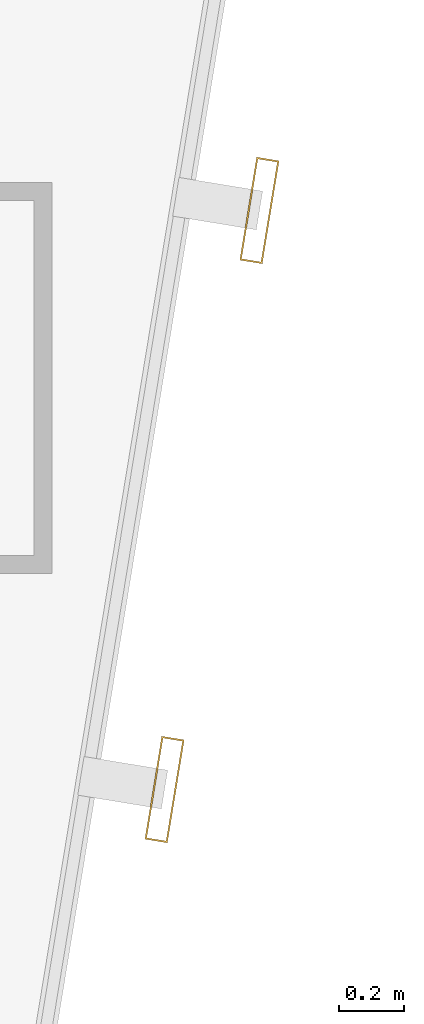
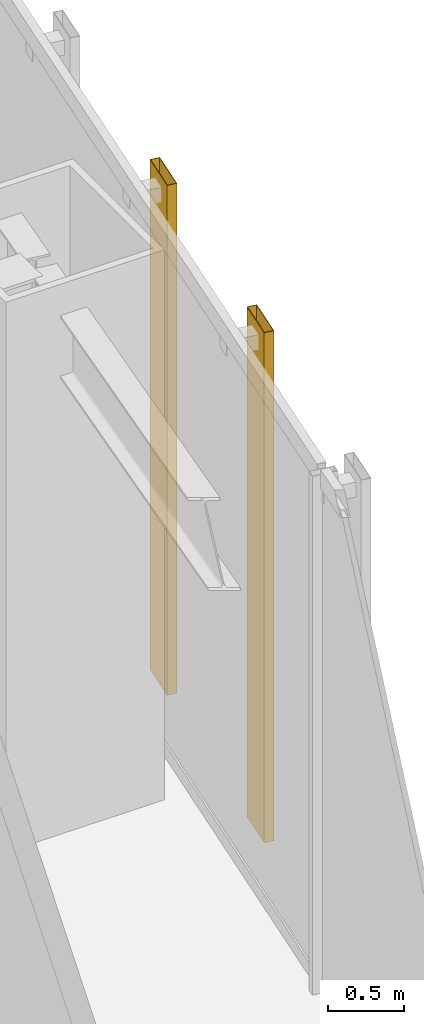
# One storey, part 45 of 47: 2 shading devices.
"""IFC4 building model written with IfcOpenShell, lengths in metres."""

from ifc_helpers import new_model, si_unit, direction, frame, origin, origin_2d, place, context, subcontext, project, spatial, hollow_rectangle, extrude, material, material_profile, profile_set, type_object, element, save


model = new_model("IFC4")

# Units and contexts
model_context = context("Model", 3, precision=1e-05, world=origin(), true_north=direction((0.0, 1.0)))
body_context = subcontext(model_context, "Body", "Model", "MODEL_VIEW")
ifc_project = project(units=[si_unit("LENGTHUNIT", "METRE"), si_unit("AREAUNIT", "SQUARE_METRE"), si_unit("VOLUMEUNIT", "CUBIC_METRE"), si_unit("PLANEANGLEUNIT", "RADIAN"), si_unit("MASSUNIT", "GRAM", prefix="KILO")], contexts=[model_context])

# Site, building, storey
site_placement = place(None, origin())
site = spatial("IfcSite", under=ifc_project, at=site_placement, CompositionType="ELEMENT")
building_placement = place(site_placement, origin())
building = spatial("IfcBuilding", under=site, at=building_placement, Name="Saevonmaru Cultural Tower", CompositionType="ELEMENT")
storey_placement = place(building_placement, frame((0.0, 0.0, 56.0)))
storey = spatial("IfcBuildingStorey", under=building, at=storey_placement, Name="L11", CompositionType="ELEMENT", Elevation=56.0)

# Shading devices
ifc_material = material(Name="Satin Bronze Anodised Aluminium", Category="aluminium")
ifc_material_profile = material_profile(ifc_material, hollow_rectangle(XDim=0.070068359375, YDim=0.320068359375, WallThickness=0.0048828125, at=origin_2d()), Name="FIN-320x70")
ifc_profile_set = profile_set([ifc_material_profile], Name="Satin Bronze Anodised Aluminium")
shading_device_type = type_object("IfcShadingDeviceType", Name="SHD-FIN-320", PredefinedType="JALOUSIE", material=ifc_profile_set)
for number, where, z_axis, x_axis, name in (
    (1, (52.6279296875, 30.737548828125, 0.050048828125), (0.0, 0.0, 1.0), (0.986827496189, -0.161776057456, 0.0), "L11 Art Deco Sawtooth Bronze Fin E8-15"),
    (2, (52.9189453125, 32.513916015625, 0.050048828125), (0.0, 0.0, 1.0), (0.986827496189, -0.161776057456, 0.0), "L11 Art Deco Sawtooth Bronze Fin E8-16"),
):
    element("IfcShadingDevice", number, at=place(storey_placement, frame(where, z_axis=z_axis, x_axis=x_axis)), inside=storey, type_object=shading_device_type, Name=name, PredefinedType="JALOUSIE", context=body_context, shape_type="SweptSolid", body=[
        extrude(hollow_rectangle(XDim=0.070068359375, YDim=0.320068359375, WallThickness=0.0048828125, at=origin_2d()), origin(), (0.0, 0.0, 1.0), 4.079833984375),
    ])

save(model, "model.ifc")
